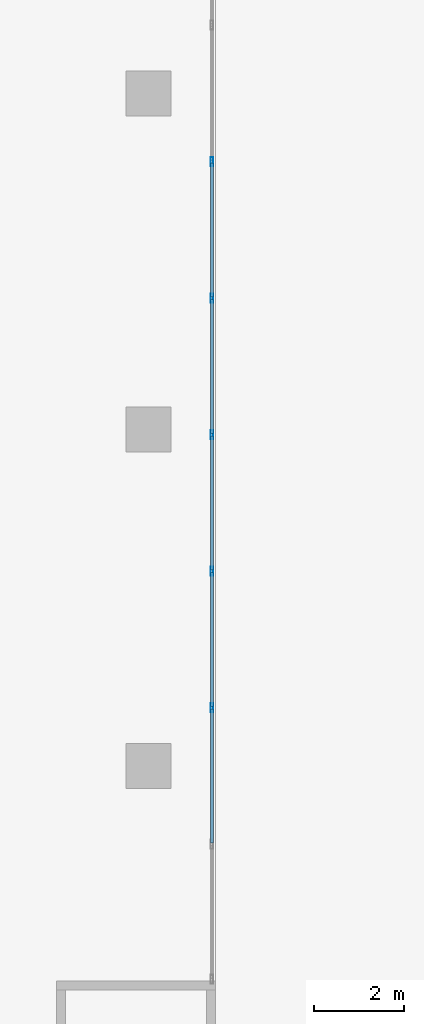
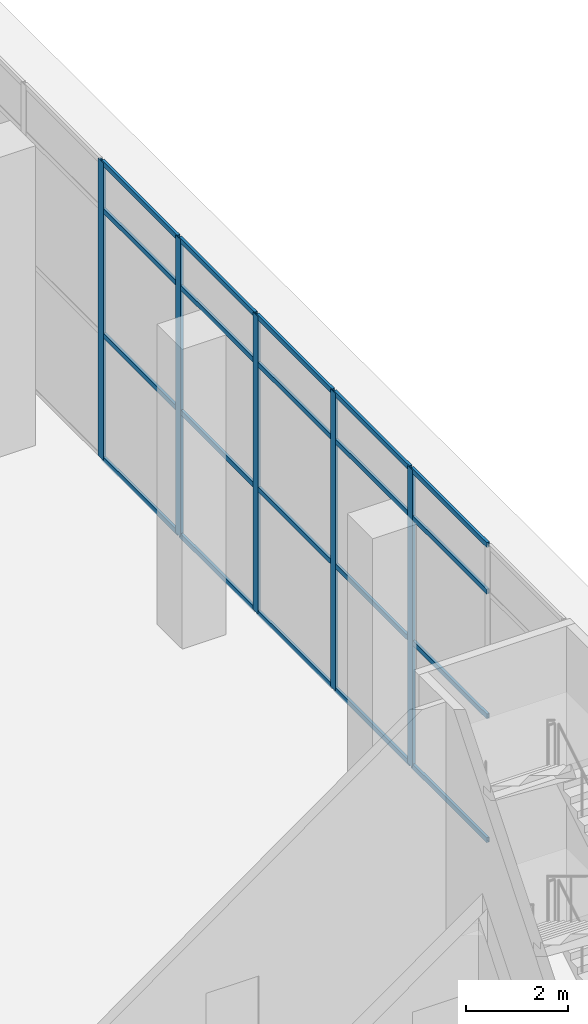
# One storey, part 24 of 52: 25 members, 1 element without a shape of its own.
"""IFC4 building model written with IfcOpenShell, lengths in metres."""

from ifc_helpers import new_model, si_unit, direction, frame, origin, origin_2d, place, context, subcontext, project, spatial, hollow_rectangle, extrude, source, transform, mapped, material, material_profile, profile_set, type_object, element, aggregate, save


model = new_model("IFC4")

# Units and contexts
model_context = context("Model", 3, precision=1e-05, world=origin(), true_north=direction((0.0, 1.0)))
body_context = subcontext(model_context, "Body", "Model", "MODEL_VIEW")
ifc_project = project(units=[si_unit("LENGTHUNIT", "METRE"), si_unit("AREAUNIT", "SQUARE_METRE"), si_unit("VOLUMEUNIT", "CUBIC_METRE"), si_unit("PLANEANGLEUNIT", "RADIAN"), si_unit("MASSUNIT", "GRAM", prefix="KILO")], contexts=[model_context])

# Site, building, storey
site_placement = place(None, origin())
site = spatial("IfcSite", under=ifc_project, at=site_placement, CompositionType="ELEMENT")
building_placement = place(site_placement, origin())
building = spatial("IfcBuilding", under=site, at=building_placement, Name="Khomas Fold Tower", CompositionType="ELEMENT")
storey_placement = place(building_placement, origin())
storey = spatial("IfcBuildingStorey", under=building, at=storey_placement, Name="L00", CompositionType="ELEMENT", Elevation=0.0)

# Curtain wall, members
ifc_material_1 = material(Name="Aluminium framed double glazing", Category="aluminium")
curtain_wall_type = type_object("IfcCurtainWallType", Name="Shopfront glazing PD-CW", PredefinedType="NOTDEFINED", material=ifc_material_1)
curtain_wall_placement = place(storey_placement, origin())
curtain_wall = element("IfcCurtainWall", 1, at=curtain_wall_placement, inside=storey, type_object=curtain_wall_type, Name="Podium shopfront run", PredefinedType="NOTDEFINED")
ifc_material_2 = material(Name="Aluminium", Category="aluminium")
ifc_material_profile_1 = material_profile(ifc_material_2, hollow_rectangle(XDim=0.06005859375, YDim=0.199951171875, WallThickness=0.00390625, at=origin_2d()), Name="Shopfront glazing mullion PD-CW-M")
ifc_profile_set_1 = profile_set([ifc_material_profile_1], Name="Aluminium")
member_type_1 = type_object("IfcMemberType", Name="Shopfront glazing mullion PD-CW-M", PredefinedType="MULLION", material=ifc_profile_set_1)
shared_shape_1 = source(origin(), body_context, "Body", "SweptSolid", [
    extrude(hollow_rectangle(XDim=0.06005859375, YDim=0.199951171875, WallThickness=0.00390625, at=origin_2d()), origin(), (0.0, 0.0, 1.0), 7.14990234375),
])
member_1_placement = place(storey_placement, frame((80.919921875, 13.29931640625, 0.0), z_axis=(0.0, 0.0, 1.0), x_axis=(-1.0, 0.0, 0.0)))
member_1 = element("IfcMember", 2, at=member_1_placement, type_object=member_type_1, Name="PD-CW mullion 3", PredefinedType="MULLION", context=body_context, shape_type="MappedRepresentation", body=[
    mapped(shared_shape_1, transform((0.0, 0.0, 0.0))),
])
member_2_placement = place(storey_placement, frame((80.919921875, 16.34375, 0.0), z_axis=(0.0, 0.0, 1.0), x_axis=(-1.0, 0.0, 0.0)))
member_2 = element("IfcMember", 3, at=member_2_placement, type_object=member_type_1, Name="PD-CW mullion 4", PredefinedType="MULLION", context=body_context, shape_type="MappedRepresentation", body=[
    mapped(shared_shape_1, transform((0.0, 0.0, 0.0))),
])
member_3_placement = place(storey_placement, frame((80.919921875, 19.388427734375, 0.0), z_axis=(0.0, 0.0, 1.0), x_axis=(-1.0, 0.0, 0.0)))
member_3 = element("IfcMember", 4, at=member_3_placement, type_object=member_type_1, Name="PD-CW mullion 5", PredefinedType="MULLION", context=body_context, shape_type="MappedRepresentation", body=[
    mapped(shared_shape_1, transform((0.0, 0.0, 0.0))),
])
member_4_placement = place(storey_placement, frame((80.919921875, 22.43310546875, 0.0), z_axis=(0.0, 0.0, 1.0), x_axis=(-1.0, 0.0, 0.0)))
member_4 = element("IfcMember", 5, at=member_4_placement, type_object=member_type_1, Name="PD-CW mullion 6", PredefinedType="MULLION", context=body_context, shape_type="MappedRepresentation", body=[
    mapped(shared_shape_1, transform((0.0, 0.0, 0.0))),
])
member_5_placement = place(storey_placement, frame((80.919921875, 25.477783203125, 0.0), z_axis=(0.0, 0.0, 1.0), x_axis=(-1.0, 0.0, 0.0)))
member_5 = element("IfcMember", 6, at=member_5_placement, type_object=member_type_1, Name="PD-CW mullion 7", PredefinedType="MULLION", context=body_context, shape_type="MappedRepresentation", body=[
    mapped(shared_shape_1, transform((0.0, 0.0, 0.0))),
])
ifc_material_3 = material(Name="Aluminium", Category="aluminium")
ifc_material_profile_2 = material_profile(ifc_material_3, hollow_rectangle(XDim=0.06005859375, YDim=0.1201171875, WallThickness=0.00390625, at=origin_2d()), Name="Shopfront glazing transom PD-CW-T")
ifc_profile_set_2 = profile_set([ifc_material_profile_2], Name="Aluminium")
member_type_2 = type_object("IfcMemberType", Name="Shopfront glazing transom PD-CW-T", PredefinedType="USERDEFINED", material=ifc_profile_set_2)
shared_shape_2 = source(origin(), body_context, "Body", "SweptSolid", [
    extrude(hollow_rectangle(XDim=0.06005859375, YDim=0.1201171875, WallThickness=0.00390625, at=origin_2d()), origin(), (0.0, 0.0, 1.0), 2.984619140625),
])
member_6_placement = place(storey_placement, frame((80.919921875, 10.28466796875, 0.030029296875), z_axis=(0.0, 1.0, 0.0), x_axis=(-1.0, 0.0, 0.0)))
member_6 = element("IfcMember", 7, at=member_6_placement, type_object=member_type_2, Name="PD-CW transom 2.1", ObjectType="TRANSOM", PredefinedType="USERDEFINED", context=body_context, shape_type="MappedRepresentation", body=[
    mapped(shared_shape_2, transform((0.0, 0.0, 0.0))),
])
member_7_placement = place(storey_placement, frame((80.919921875, 10.28466796875, 3.0), z_axis=(0.0, 1.0, 0.0), x_axis=(-1.0, 0.0, 0.0)))
member_7 = element("IfcMember", 8, at=member_7_placement, type_object=member_type_2, Name="PD-CW transom 2.2", ObjectType="TRANSOM", PredefinedType="USERDEFINED", context=body_context, shape_type="MappedRepresentation", body=[
    mapped(shared_shape_2, transform((0.0, 0.0, 0.0))),
])
member_8_placement = place(storey_placement, frame((80.919921875, 10.28466796875, 6.0), z_axis=(0.0, 1.0, 0.0), x_axis=(-1.0, 0.0, 0.0)))
member_8 = element("IfcMember", 9, at=member_8_placement, type_object=member_type_2, Name="PD-CW transom 2.3", ObjectType="TRANSOM", PredefinedType="USERDEFINED", context=body_context, shape_type="MappedRepresentation", body=[
    mapped(shared_shape_2, transform((0.0, 0.0, 0.0))),
])
member_9_placement = place(storey_placement, frame((80.919921875, 10.28466796875, 7.1201171875), z_axis=(0.0, 1.0, 0.0), x_axis=(-1.0, 0.0, 0.0)))
member_9 = element("IfcMember", 10, at=member_9_placement, type_object=member_type_2, Name="PD-CW transom 2.4", ObjectType="TRANSOM", PredefinedType="USERDEFINED", context=body_context, shape_type="MappedRepresentation", body=[
    mapped(shared_shape_2, transform((0.0, 0.0, 0.0))),
])
member_10_placement = place(storey_placement, frame((80.919921875, 13.329345703125, 0.030029296875), z_axis=(0.0, 1.0, 0.0), x_axis=(-1.0, 0.0, 0.0)))
member_10 = element("IfcMember", 11, at=member_10_placement, type_object=member_type_2, Name="PD-CW transom 3.1", ObjectType="TRANSOM", PredefinedType="USERDEFINED", context=body_context, shape_type="MappedRepresentation", body=[
    mapped(shared_shape_2, transform((0.0, 0.0, 0.0))),
])
member_11_placement = place(storey_placement, frame((80.919921875, 13.329345703125, 3.0), z_axis=(0.0, 1.0, 0.0), x_axis=(-1.0, 0.0, 0.0)))
member_11 = element("IfcMember", 12, at=member_11_placement, type_object=member_type_2, Name="PD-CW transom 3.2", ObjectType="TRANSOM", PredefinedType="USERDEFINED", context=body_context, shape_type="MappedRepresentation", body=[
    mapped(shared_shape_2, transform((0.0, 0.0, 0.0))),
])
member_12_placement = place(storey_placement, frame((80.919921875, 13.329345703125, 6.0), z_axis=(0.0, 1.0, 0.0), x_axis=(-1.0, 0.0, 0.0)))
member_12 = element("IfcMember", 13, at=member_12_placement, type_object=member_type_2, Name="PD-CW transom 3.3", ObjectType="TRANSOM", PredefinedType="USERDEFINED", context=body_context, shape_type="MappedRepresentation", body=[
    mapped(shared_shape_2, transform((0.0, 0.0, 0.0))),
])
member_13_placement = place(storey_placement, frame((80.919921875, 13.329345703125, 7.1201171875), z_axis=(0.0, 1.0, 0.0), x_axis=(-1.0, 0.0, 0.0)))
member_13 = element("IfcMember", 14, at=member_13_placement, type_object=member_type_2, Name="PD-CW transom 3.4", ObjectType="TRANSOM", PredefinedType="USERDEFINED", context=body_context, shape_type="MappedRepresentation", body=[
    mapped(shared_shape_2, transform((0.0, 0.0, 0.0))),
])
member_14_placement = place(storey_placement, frame((80.919921875, 16.373779296875, 0.030029296875), z_axis=(0.0, 1.0, 0.0), x_axis=(-1.0, 0.0, 0.0)))
member_14 = element("IfcMember", 15, at=member_14_placement, type_object=member_type_2, Name="PD-CW transom 4.1", ObjectType="TRANSOM", PredefinedType="USERDEFINED", context=body_context, shape_type="MappedRepresentation", body=[
    mapped(shared_shape_2, transform((0.0, 0.0, 0.0))),
])
member_15_placement = place(storey_placement, frame((80.919921875, 16.373779296875, 3.0), z_axis=(0.0, 1.0, 0.0), x_axis=(-1.0, 0.0, 0.0)))
member_15 = element("IfcMember", 16, at=member_15_placement, type_object=member_type_2, Name="PD-CW transom 4.2", ObjectType="TRANSOM", PredefinedType="USERDEFINED", context=body_context, shape_type="MappedRepresentation", body=[
    mapped(shared_shape_2, transform((0.0, 0.0, 0.0))),
])
member_16_placement = place(storey_placement, frame((80.919921875, 16.373779296875, 6.0), z_axis=(0.0, 1.0, 0.0), x_axis=(-1.0, 0.0, 0.0)))
member_16 = element("IfcMember", 17, at=member_16_placement, type_object=member_type_2, Name="PD-CW transom 4.3", ObjectType="TRANSOM", PredefinedType="USERDEFINED", context=body_context, shape_type="MappedRepresentation", body=[
    mapped(shared_shape_2, transform((0.0, 0.0, 0.0))),
])
member_17_placement = place(storey_placement, frame((80.919921875, 16.373779296875, 7.1201171875), z_axis=(0.0, 1.0, 0.0), x_axis=(-1.0, 0.0, 0.0)))
member_17 = element("IfcMember", 18, at=member_17_placement, type_object=member_type_2, Name="PD-CW transom 4.4", ObjectType="TRANSOM", PredefinedType="USERDEFINED", context=body_context, shape_type="MappedRepresentation", body=[
    mapped(shared_shape_2, transform((0.0, 0.0, 0.0))),
])
member_18_placement = place(storey_placement, frame((80.919921875, 19.41845703125, 0.030029296875), z_axis=(0.0, 1.0, 0.0), x_axis=(-1.0, 0.0, 0.0)))
member_18 = element("IfcMember", 19, at=member_18_placement, type_object=member_type_2, Name="PD-CW transom 5.1", ObjectType="TRANSOM", PredefinedType="USERDEFINED", context=body_context, shape_type="MappedRepresentation", body=[
    mapped(shared_shape_2, transform((0.0, 0.0, 0.0))),
])
member_19_placement = place(storey_placement, frame((80.919921875, 19.41845703125, 3.0), z_axis=(0.0, 1.0, 0.0), x_axis=(-1.0, 0.0, 0.0)))
member_19 = element("IfcMember", 20, at=member_19_placement, type_object=member_type_2, Name="PD-CW transom 5.2", ObjectType="TRANSOM", PredefinedType="USERDEFINED", context=body_context, shape_type="MappedRepresentation", body=[
    mapped(shared_shape_2, transform((0.0, 0.0, 0.0))),
])
member_20_placement = place(storey_placement, frame((80.919921875, 19.41845703125, 6.0), z_axis=(0.0, 1.0, 0.0), x_axis=(-1.0, 0.0, 0.0)))
member_20 = element("IfcMember", 21, at=member_20_placement, type_object=member_type_2, Name="PD-CW transom 5.3", ObjectType="TRANSOM", PredefinedType="USERDEFINED", context=body_context, shape_type="MappedRepresentation", body=[
    mapped(shared_shape_2, transform((0.0, 0.0, 0.0))),
])
member_21_placement = place(storey_placement, frame((80.919921875, 19.41845703125, 7.1201171875), z_axis=(0.0, 1.0, 0.0), x_axis=(-1.0, 0.0, 0.0)))
member_21 = element("IfcMember", 22, at=member_21_placement, type_object=member_type_2, Name="PD-CW transom 5.4", ObjectType="TRANSOM", PredefinedType="USERDEFINED", context=body_context, shape_type="MappedRepresentation", body=[
    mapped(shared_shape_2, transform((0.0, 0.0, 0.0))),
])
member_22_placement = place(storey_placement, frame((80.919921875, 22.463134765625, 0.030029296875), z_axis=(0.0, 1.0, 0.0), x_axis=(-1.0, 0.0, 0.0)))
member_22 = element("IfcMember", 23, at=member_22_placement, type_object=member_type_2, Name="PD-CW transom 6.1", ObjectType="TRANSOM", PredefinedType="USERDEFINED", context=body_context, shape_type="MappedRepresentation", body=[
    mapped(shared_shape_2, transform((0.0, 0.0, 0.0))),
])
member_23_placement = place(storey_placement, frame((80.919921875, 22.463134765625, 3.0), z_axis=(0.0, 1.0, 0.0), x_axis=(-1.0, 0.0, 0.0)))
member_23 = element("IfcMember", 24, at=member_23_placement, type_object=member_type_2, Name="PD-CW transom 6.2", ObjectType="TRANSOM", PredefinedType="USERDEFINED", context=body_context, shape_type="MappedRepresentation", body=[
    mapped(shared_shape_2, transform((0.0, 0.0, 0.0))),
])
member_24_placement = place(storey_placement, frame((80.919921875, 22.463134765625, 6.0), z_axis=(0.0, 1.0, 0.0), x_axis=(-1.0, 0.0, 0.0)))
member_24 = element("IfcMember", 25, at=member_24_placement, type_object=member_type_2, Name="PD-CW transom 6.3", ObjectType="TRANSOM", PredefinedType="USERDEFINED", context=body_context, shape_type="MappedRepresentation", body=[
    mapped(shared_shape_2, transform((0.0, 0.0, 0.0))),
])
member_25_placement = place(storey_placement, frame((80.919921875, 22.463134765625, 7.1201171875), z_axis=(0.0, 1.0, 0.0), x_axis=(-1.0, 0.0, 0.0)))
member_25 = element("IfcMember", 26, at=member_25_placement, type_object=member_type_2, Name="PD-CW transom 6.4", ObjectType="TRANSOM", PredefinedType="USERDEFINED", context=body_context, shape_type="MappedRepresentation", body=[
    mapped(shared_shape_2, transform((0.0, 0.0, 0.0))),
])
aggregate(curtain_wall, [member_1, member_2, member_3, member_4, member_5, member_6, member_7, member_8, member_9, member_10, member_11, member_12, member_13, member_14, member_15, member_16, member_17, member_18, member_19, member_20, member_21, member_22, member_23, member_24, member_25])

save(model, "model.ifc")
